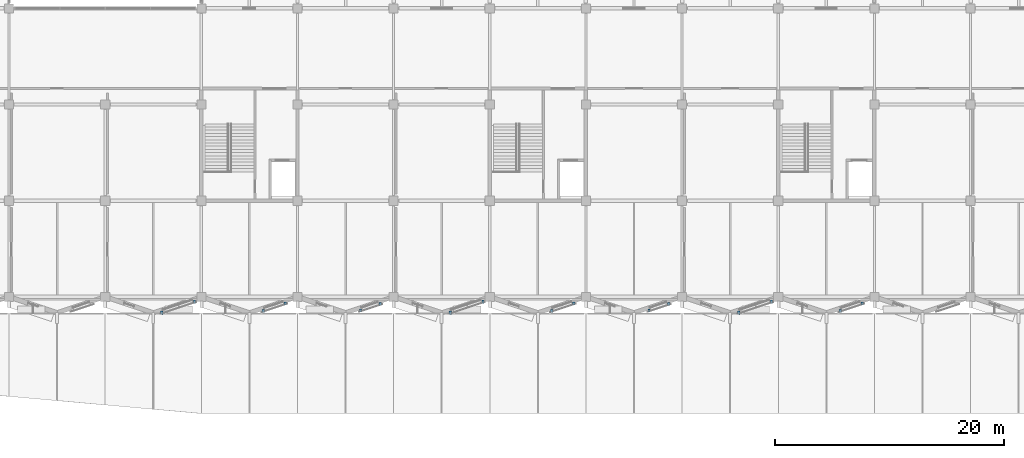
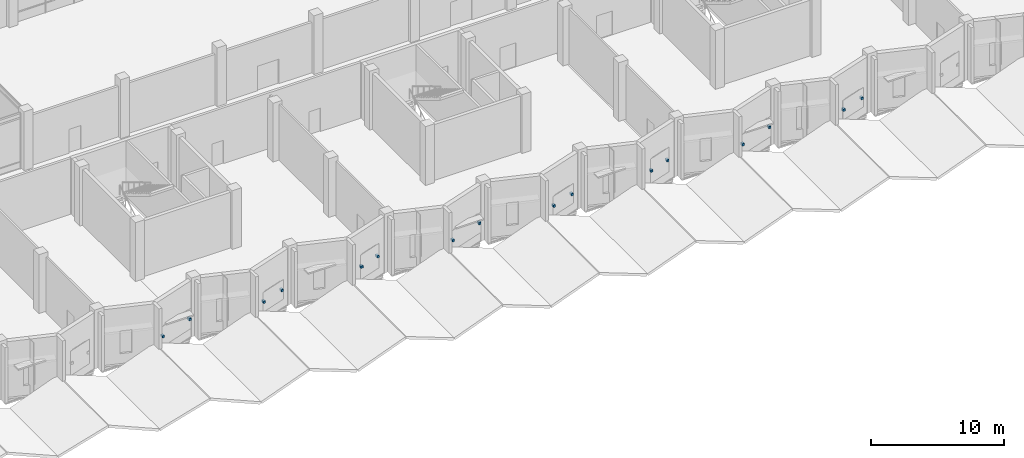
# One storey, part 64 of 72: 16 discrete accessories.
"""IFC4 building model written with IfcOpenShell, lengths in metres."""

from ifc_helpers import new_model, si_unit, direction, frame, origin, origin_2d, place, context, subcontext, project, spatial, rectangle, extrude, material, type_object, element, save


model = new_model("IFC4")

# Units and contexts
model_context = context("Model", 3, precision=1e-05, world=origin(), true_north=direction((0.0, 1.0)))
body_context = subcontext(model_context, "Body", "Model", "MODEL_VIEW")
ifc_project = project(units=[si_unit("LENGTHUNIT", "METRE"), si_unit("AREAUNIT", "SQUARE_METRE"), si_unit("VOLUMEUNIT", "CUBIC_METRE"), si_unit("PLANEANGLEUNIT", "RADIAN"), si_unit("MASSUNIT", "GRAM", prefix="KILO")], contexts=[model_context])

# Site, building, storey
site_placement = place(None, origin())
site = spatial("IfcSite", under=ifc_project, at=site_placement, CompositionType="ELEMENT")
building_placement = place(site_placement, origin())
building = spatial("IfcBuilding", under=site, at=building_placement, Name="Qawsi Khor Wholesale Market", CompositionType="ELEMENT")
storey_placement = place(building_placement, frame((0.0, 0.0, 6.0)))
storey = spatial("IfcBuildingStorey", under=building, at=storey_placement, Name="L01", CompositionType="ELEMENT", Elevation=6.0)

# Discrete accessories
ifc_material = material(Name="Steel S355", Category="steel")
discrete_accessory_type = type_object("IfcDiscreteAccessoryType", Name="Screen Fixing Bracket Steel S355", PredefinedType="BRACKET", material=ifc_material)
for number, where, z_axis, x_axis, name in (
    (1, (66.604248046875, -0.435791015625, 1.6748046875), (0.0, 0.0, 1.0), (1.0, 0.0, 0.0), "Screen bracket 005-1"),
    (2, (63.7392578125, -1.390869140625, 1.6748046875), (0.0, 0.0, 1.0), (1.0, 0.0, 0.0), "Screen bracket 005-2"),
    (3, (74.539306640625, -0.5908203125, 1.64990234375), (0.0, 0.0, 1.0), (1.0, 0.0, 0.0), "Screen bracket 006-1"),
    (4, (72.60400390625, -1.23583984375, 1.64990234375), (0.0, 0.0, 1.0), (1.0, 0.0, 0.0), "Screen bracket 006-2"),
    (5, (82.8349609375, -0.62548828125, 1.875), (0.0, 0.0, 1.0), (1.0, 0.0, 0.0), "Screen bracket 007-1"),
    (6, (81.1083984375, -1.200927734375, 1.875), (0.0, 0.0, 1.0), (1.0, 0.0, 0.0), "Screen bracket 007-2"),
    (7, (91.80419921875, -0.435791015625, 1.6748046875), (0.0, 0.0, 1.0), (1.0, 0.0, 0.0), "Screen bracket 008-1"),
    (8, (88.939208984375, -1.390869140625, 1.6748046875), (0.0, 0.0, 1.0), (1.0, 0.0, 0.0), "Screen bracket 008-2"),
    (9, (99.739501953125, -0.5908203125, 1.64990234375), (0.0, 0.0, 1.0), (1.0, 0.0, 0.0), "Screen bracket 009-1"),
    (10, (97.80419921875, -1.23583984375, 1.64990234375), (0.0, 0.0, 1.0), (1.0, 0.0, 0.0), "Screen bracket 009-2"),
    (11, (108.034912109375, -0.62548828125, 1.875), (0.0, 0.0, 1.0), (1.0, 0.0, 0.0), "Screen bracket 010-1"),
    (12, (106.308349609375, -1.200927734375, 1.875), (0.0, 0.0, 1.0), (1.0, 0.0, 0.0), "Screen bracket 010-2"),
    (13, (117.004150390625, -0.435791015625, 1.6748046875), (0.0, 0.0, 1.0), (1.0, 0.0, 0.0), "Screen bracket 011-1"),
    (14, (114.13916015625, -1.390869140625, 1.6748046875), (0.0, 0.0, 1.0), (1.0, 0.0, 0.0), "Screen bracket 011-2"),
    (15, (124.939453125, -0.5908203125, 1.64990234375), (0.0, 0.0, 1.0), (1.0, 0.0, 0.0), "Screen bracket 012-1"),
    (16, (123.004150390625, -1.23583984375, 1.64990234375), (0.0, 0.0, 1.0), (1.0, 0.0, 0.0), "Screen bracket 012-2"),
):
    element("IfcDiscreteAccessory", number, at=place(storey_placement, frame(where, z_axis=z_axis, x_axis=x_axis)), inside=storey, type_object=discrete_accessory_type, Name=name, PredefinedType="BRACKET", context=body_context, shape_type="SweptSolid", body=[
        extrude(rectangle(XDim=0.199951171875, YDim=0.280029296875, at=origin_2d()), origin(), (0.0, 0.0, 1.0), 0.199951171875),
    ])

save(model, "model.ifc")
